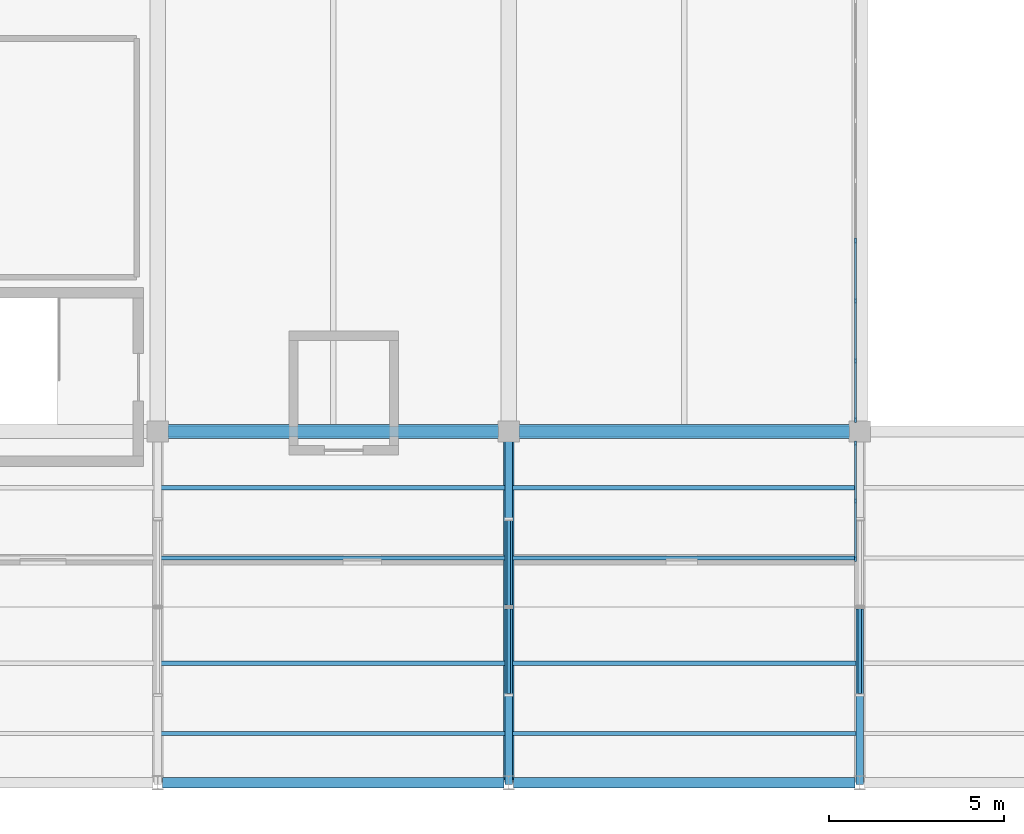
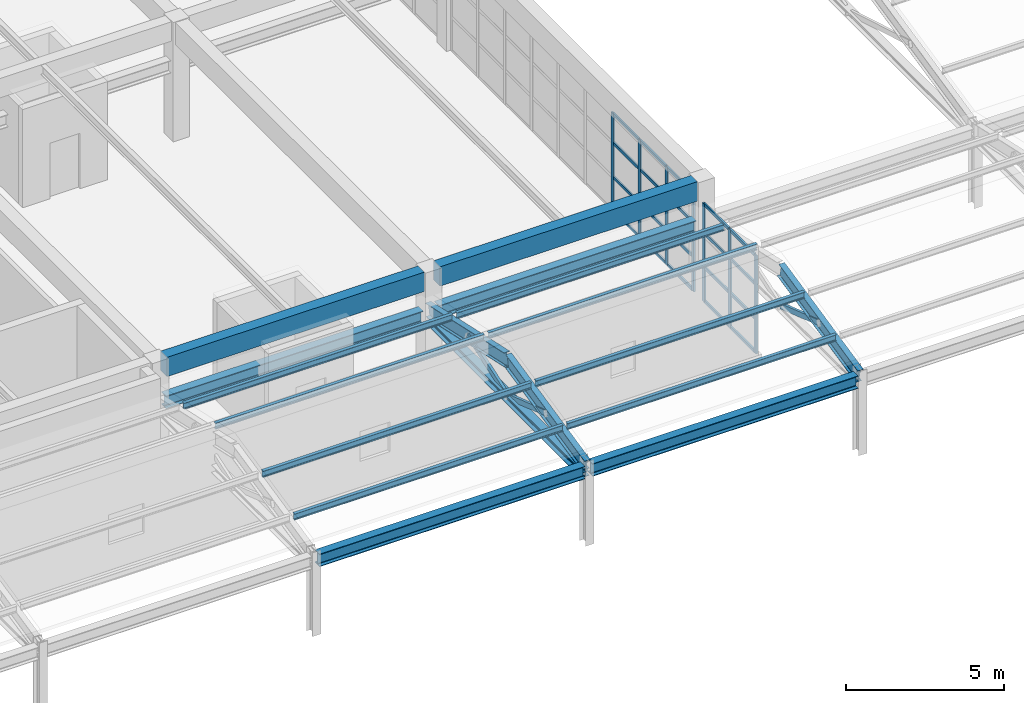
# One storey, part 24 of 109: 39 members, 9 beams, 2 elements without a shape of their own.
"""IFC4 building model written with IfcOpenShell, lengths in metres."""

from ifc_helpers import new_model, si_unit, direction, frame, origin, origin_2d, place, context, subcontext, project, spatial, rectangle, hollow_rectangle, i_section, extrude, material, layer, layer_set, material_profile, profile_set, type_object, element, aggregate, save


model = new_model("IFC4")

# Units and contexts
model_context = context("Model", 3, precision=1e-05, world=origin(), true_north=direction((0.0, 1.0)))
body_context = subcontext(model_context, "Body", "Model", "MODEL_VIEW")
ifc_project = project(units=[si_unit("LENGTHUNIT", "METRE"), si_unit("AREAUNIT", "SQUARE_METRE"), si_unit("VOLUMEUNIT", "CUBIC_METRE"), si_unit("PLANEANGLEUNIT", "RADIAN"), si_unit("MASSUNIT", "GRAM", prefix="KILO")], contexts=[model_context])

# Site, building, storey
site_placement = place(None, origin())
site = spatial("IfcSite", under=ifc_project, at=site_placement, CompositionType="ELEMENT")
building_placement = place(site_placement, origin())
building = spatial("IfcBuilding", under=site, at=building_placement, Name="Kivolera Central Railway Station", CompositionType="ELEMENT")
storey_placement = place(building_placement, frame((0.0, 0.0, 9.60009765625)))
storey = spatial("IfcBuildingStorey", under=building, at=storey_placement, Name="L02", CompositionType="ELEMENT", Elevation=9.60009765625)

# Beams
ifc_material_1 = material(Name="Concrete C40/50", Category="concrete")
ifc_material_profile_1 = material_profile(ifc_material_1, rectangle(XDim=0.39990234375, YDim=0.75, at=origin_2d()), Name="RC 400x750")
ifc_profile_set_1 = profile_set([ifc_material_profile_1], Name="Concrete C40/50")
beam_type_1 = type_object("IfcBeamType", Name="BM-RC-400x750", PredefinedType="BEAM", material=ifc_profile_set_1)
for number, where, z_axis, x_axis, name in (
    (1, (68.287109375, 16.0, 4.224853515625), (1.0, 0.0, 0.0), (0.0, 1.0, 0.0), "L02 Over-Track Bridge Transverse Girder B:7-8"),
    (2, (78.287109375, 16.0, 4.224853515625), (1.0, 0.0, 0.0), (0.0, 1.0, 0.0), "L02 Over-Track Bridge Transverse Girder B:8-9"),
):
    element("IfcBeam", number, at=place(storey_placement, frame(where, z_axis=z_axis, x_axis=x_axis)), inside=storey, type_object=beam_type_1, Name=name, PredefinedType="BEAM", context=body_context, shape_type="SweptSolid", body=[
        extrude(rectangle(XDim=0.39990234375, YDim=0.75, at=origin_2d()), origin(), (0.0, 0.0, 1.0), 9.42578125),
    ])
ifc_material_2 = material(Name="Steel S355", Category="steel")
ifc_material_profile_2 = material_profile(ifc_material_2, i_section(OverallWidth=0.300048828125, OverallDepth=0.489990234375, WebThickness=0.011962890625, FlangeThickness=0.02294921875, FilletRadius=0.027099609375, at=origin_2d()), Name="HEA 500")
ifc_profile_set_2 = profile_set([ifc_material_profile_2], Name="Steel S355")
beam_type_2 = type_object("IfcBeamType", Name="BM-SHD-HEA500", PredefinedType="BEAM", material=ifc_profile_set_2)
beam_1_placement = place(storey_placement, frame((68.136962890625, 6.0, 2.81982421875), z_axis=(1.0, 0.0, 0.0), x_axis=(0.0, 1.0, 0.0)))
element("IfcBeam", 3, at=beam_1_placement, inside=storey, type_object=beam_type_2, Name="Train Shed Eave Girder A:7-8", PredefinedType="BEAM", context=body_context, shape_type="SweptSolid", body=[
    extrude(i_section(OverallWidth=0.300048828125, OverallDepth=0.489990234375, WebThickness=0.011962890625, FlangeThickness=0.02294921875, FilletRadius=0.027099609375, at=origin_2d()), origin(), (0.0, 0.0, 1.0), 9.72607421875),
])
beam_2_placement = place(storey_placement, frame((68.2919921875, 16.0, 2.81982421875), z_axis=(1.0, 0.0, 0.0), x_axis=(0.0, 1.0, 0.0)))
element("IfcBeam", 4, at=beam_2_placement, inside=storey, type_object=beam_type_2, Name="Train Shed Eave Girder B:7-8", PredefinedType="BEAM", context=body_context, shape_type="SweptSolid", body=[
    extrude(i_section(OverallWidth=0.300048828125, OverallDepth=0.489990234375, WebThickness=0.011962890625, FlangeThickness=0.02294921875, FilletRadius=0.027099609375, at=origin_2d()), origin(), (0.0, 0.0, 1.0), 9.416015625),
])
beam_3_placement = place(storey_placement, frame((78.136962890625, 6.0, 2.81982421875), z_axis=(1.0, 0.0, 0.0), x_axis=(0.0, 1.0, 0.0)))
element("IfcBeam", 5, at=beam_3_placement, inside=storey, type_object=beam_type_2, Name="Train Shed Eave Girder A:8-9", PredefinedType="BEAM", context=body_context, shape_type="SweptSolid", body=[
    extrude(i_section(OverallWidth=0.300048828125, OverallDepth=0.489990234375, WebThickness=0.011962890625, FlangeThickness=0.02294921875, FilletRadius=0.027099609375, at=origin_2d()), origin(), (0.0, 0.0, 1.0), 9.72607421875),
])
beam_4_placement = place(storey_placement, frame((78.2919921875, 16.0, 2.81982421875), z_axis=(1.0, 0.0, 0.0), x_axis=(0.0, 1.0, 0.0)))
element("IfcBeam", 6, at=beam_4_placement, inside=storey, type_object=beam_type_2, Name="Train Shed Eave Girder B:8-9", PredefinedType="BEAM", context=body_context, shape_type="SweptSolid", body=[
    extrude(i_section(OverallWidth=0.300048828125, OverallDepth=0.489990234375, WebThickness=0.011962890625, FlangeThickness=0.02294921875, FilletRadius=0.027099609375, at=origin_2d()), origin(), (0.0, 0.0, 1.0), 9.416015625),
])
ifc_material_profile_3 = material_profile(ifc_material_2, i_section(OverallWidth=0.209228515625, OverallDepth=0.533203125, WebThickness=0.010009765625, FlangeThickness=0.015625, FilletRadius=0.0126953125, at=origin_2d()), Name="UB 533x210x92")
ifc_profile_set_3 = profile_set([ifc_material_profile_3], Name="Steel S355")
beam_type_3 = type_object("IfcBeamType", Name="BM-SHD-UB533", PredefinedType="BEAM", material=ifc_profile_set_3)
for number, where, z_axis, x_axis, name in (
    (7, (78.0, 6.0, 2.9248046875), (0.0, 0.976640463768, 0.214879977038), (-1.0, 0.0, 0.0), "Train Shed Roof Truss Top Rafter AB-8S"),
    (8, (78.0, 11.0, 4.02490234375), (0.0, 0.976640463768, -0.214879977038), (-1.0, 0.0, 0.0), "Train Shed Roof Truss Top Rafter AB-8N"),
    (9, (88.0, 6.0, 2.9248046875), (0.0, 0.976640463768, 0.214879977038), (-1.0, 0.0, 0.0), "Train Shed Roof Truss Top Rafter AB-9S"),
):
    element("IfcBeam", number, at=place(storey_placement, frame(where, z_axis=z_axis, x_axis=x_axis)), inside=storey, type_object=beam_type_3, Name=name, PredefinedType="BEAM", context=body_context, shape_type="SweptSolid", body=[
        extrude(i_section(OverallWidth=0.209228515625, OverallDepth=0.533203125, WebThickness=0.010009765625, FlangeThickness=0.015625, FilletRadius=0.0126953125, at=origin_2d()), origin(), (0.0, 0.0, 1.0), 5.11962890625),
    ])

# Curtain wall, members
ifc_material_3 = material(Name="Anodised aluminium", Category="aluminium")
ifc_layer_1 = layer(ifc_material_3, 0.179931640625, Name="Anodised aluminium")
ifc_layer_set_1 = layer_set([ifc_layer_1], Name="Anodised aluminium")
curtain_wall_type_1 = type_object("IfcCurtainWallType", Name="CW-SYS-17", PredefinedType="NOTDEFINED", material=ifc_layer_set_1)
curtain_wall_1_placement = place(storey_placement, origin())
curtain_wall_1 = element("IfcCurtainWall", 10, at=curtain_wall_1_placement, inside=storey, type_object=curtain_wall_type_1, Name="L02 Curtain Wall CW-L02-BRGE-1", PredefinedType="NOTDEFINED")
ifc_material_profile_4 = material_profile(ifc_material_3, rectangle(XDim=0.06005859375, YDim=0.14990234375, at=origin_2d()), Name="ALU MULL 60x150")
ifc_profile_set_4 = profile_set([ifc_material_profile_4], Name="Anodised aluminium")
member_type_1 = type_object("IfcMemberType", Name="CWM-MUL-2", PredefinedType="MULLION", material=ifc_profile_set_4)
member_1_placement = place(storey_placement, frame((87.8798828125, 15.659912109375, -0.005126953125), z_axis=(0.0, 0.0, 1.0), x_axis=(1.0, 0.0, 0.0)))
member_1 = element("IfcMember", 11, at=member_1_placement, type_object=member_type_1, Name="CW-17 mullion 1", PredefinedType="MULLION", context=body_context, shape_type="SweptSolid", body=[
    extrude(rectangle(XDim=0.06005859375, YDim=0.14990234375, at=origin_2d()), origin(), (0.0, 0.0, 1.0), 3.804931640625),
])
member_2_placement = place(storey_placement, frame((87.8798828125, 14.02001953125, -0.005126953125), z_axis=(0.0, 0.0, 1.0), x_axis=(1.0, 0.0, 0.0)))
member_2 = element("IfcMember", 12, at=member_2_placement, type_object=member_type_1, Name="CW-17 mullion 2", PredefinedType="MULLION", context=body_context, shape_type="SweptSolid", body=[
    extrude(rectangle(XDim=0.06005859375, YDim=0.14990234375, at=origin_2d()), origin(), (0.0, 0.0, 1.0), 3.804931640625),
])
member_3_placement = place(storey_placement, frame((87.8798828125, 12.3798828125, -0.005126953125), z_axis=(0.0, 0.0, 1.0), x_axis=(1.0, 0.0, 0.0)))
member_3 = element("IfcMember", 13, at=member_3_placement, type_object=member_type_1, Name="CW-17 mullion 3", PredefinedType="MULLION", context=body_context, shape_type="SweptSolid", body=[
    extrude(rectangle(XDim=0.06005859375, YDim=0.14990234375, at=origin_2d()), origin(), (0.0, 0.0, 1.0), 3.804931640625),
])

ifc_layer_2 = layer(ifc_material_3, 0.179931640625, Name="Anodised aluminium")
ifc_layer_set_2 = layer_set([ifc_layer_2], Name="Anodised aluminium")
curtain_wall_type_2 = type_object("IfcCurtainWallType", Name="CW-SYS-18", PredefinedType="NOTDEFINED", material=ifc_layer_set_2)
curtain_wall_2_placement = place(storey_placement, origin())
curtain_wall_2 = element("IfcCurtainWall", 14, at=curtain_wall_2_placement, inside=storey, type_object=curtain_wall_type_2, Name="L02 Curtain Wall CW-L02-BRGE-2", PredefinedType="NOTDEFINED")
member_4_placement = place(storey_placement, frame((87.8798828125, 21.436767578125, -0.005126953125), z_axis=(0.0, 0.0, 1.0), x_axis=(1.0, 0.0, 0.0)))
member_4 = element("IfcMember", 15, at=member_4_placement, type_object=member_type_1, Name="CW-18 mullion 7", PredefinedType="MULLION", context=body_context, shape_type="SweptSolid", body=[
    extrude(rectangle(XDim=0.06005859375, YDim=0.14990234375, at=origin_2d()), origin(), (0.0, 0.0, 1.0), 3.804931640625),
])
member_5_placement = place(storey_placement, frame((87.8798828125, 19.727783203125, -0.005126953125), z_axis=(0.0, 0.0, 1.0), x_axis=(1.0, 0.0, 0.0)))
member_5 = element("IfcMember", 16, at=member_5_placement, type_object=member_type_1, Name="CW-18 mullion 8", PredefinedType="MULLION", context=body_context, shape_type="SweptSolid", body=[
    extrude(rectangle(XDim=0.06005859375, YDim=0.14990234375, at=origin_2d()), origin(), (0.0, 0.0, 1.0), 3.804931640625),
])
member_6_placement = place(storey_placement, frame((87.8798828125, 18.018798828125, -0.005126953125), z_axis=(0.0, 0.0, 1.0), x_axis=(1.0, 0.0, 0.0)))
member_6 = element("IfcMember", 17, at=member_6_placement, type_object=member_type_1, Name="CW-18 mullion 9", PredefinedType="MULLION", context=body_context, shape_type="SweptSolid", body=[
    extrude(rectangle(XDim=0.06005859375, YDim=0.14990234375, at=origin_2d()), origin(), (0.0, 0.0, 1.0), 3.804931640625),
])
member_7_placement = place(storey_placement, frame((87.8798828125, 16.340087890625, -0.005126953125), z_axis=(0.0, 0.0, 1.0), x_axis=(1.0, 0.0, 0.0)))
member_7 = element("IfcMember", 18, at=member_7_placement, type_object=member_type_1, Name="CW-18 mullion 10", PredefinedType="MULLION", context=body_context, shape_type="SweptSolid", body=[
    extrude(rectangle(XDim=0.06005859375, YDim=0.14990234375, at=origin_2d()), origin(), (0.0, 0.0, 1.0), 3.804931640625),
])

# Member
ifc_material_profile_5 = material_profile(ifc_material_3, rectangle(XDim=0.06005859375, YDim=0.1201171875, at=origin_2d()), Name="ALU TRAN 60x120")
ifc_profile_set_5 = profile_set([ifc_material_profile_5], Name="Anodised aluminium")
member_type_2 = type_object("IfcMemberType", Name="CWM-TRN-2", PredefinedType="USERDEFINED", material=ifc_profile_set_5)
member_8_placement = place(storey_placement, frame((87.8798828125, 15.6298828125, 0.02978515625), z_axis=(0.0, -1.0, 0.0), x_axis=(1.0, 0.0, 0.0)))
member_8 = element("IfcMember", 19, at=member_8_placement, type_object=member_type_2, Name="CW-17 transom 1.1", ObjectType="TRANSOM", PredefinedType="USERDEFINED", context=body_context, shape_type="SweptSolid", body=[
    extrude(rectangle(XDim=0.06005859375, YDim=0.1201171875, at=origin_2d()), origin(), (0.0, 0.0, 1.0), 1.579833984375),
])

member_9_placement = place(storey_placement, frame((87.8798828125, 15.6298828125, 1.329833984375), z_axis=(0.0, -1.0, 0.0), x_axis=(1.0, 0.0, 0.0)))
member_9 = element("IfcMember", 20, at=member_9_placement, type_object=member_type_2, Name="CW-17 transom 1.2", ObjectType="TRANSOM", PredefinedType="USERDEFINED", context=body_context, shape_type="SweptSolid", body=[
    extrude(rectangle(XDim=0.06005859375, YDim=0.1201171875, at=origin_2d()), origin(), (0.0, 0.0, 1.0), 1.579833984375),
])

member_10_placement = place(storey_placement, frame((87.8798828125, 15.6298828125, 2.659912109375), z_axis=(0.0, -1.0, 0.0), x_axis=(1.0, 0.0, 0.0)))
member_10 = element("IfcMember", 21, at=member_10_placement, type_object=member_type_2, Name="CW-17 transom 1.3", ObjectType="TRANSOM", PredefinedType="USERDEFINED", context=body_context, shape_type="SweptSolid", body=[
    extrude(rectangle(XDim=0.06005859375, YDim=0.1201171875, at=origin_2d()), origin(), (0.0, 0.0, 1.0), 1.579833984375),
])

member_11_placement = place(storey_placement, frame((87.8798828125, 15.6298828125, 3.77001953125), z_axis=(0.0, -1.0, 0.0), x_axis=(1.0, 0.0, 0.0)))
member_11 = element("IfcMember", 22, at=member_11_placement, type_object=member_type_2, Name="CW-17 transom 1.4", ObjectType="TRANSOM", PredefinedType="USERDEFINED", context=body_context, shape_type="SweptSolid", body=[
    extrude(rectangle(XDim=0.06005859375, YDim=0.1201171875, at=origin_2d()), origin(), (0.0, 0.0, 1.0), 1.579833984375),
])

member_12_placement = place(storey_placement, frame((87.8798828125, 13.989990234375, 0.02978515625), z_axis=(0.0, -1.0, 0.0), x_axis=(1.0, 0.0, 0.0)))
member_12 = element("IfcMember", 23, at=member_12_placement, type_object=member_type_2, Name="CW-17 transom 2.1", ObjectType="TRANSOM", PredefinedType="USERDEFINED", context=body_context, shape_type="SweptSolid", body=[
    extrude(rectangle(XDim=0.06005859375, YDim=0.1201171875, at=origin_2d()), origin(), (0.0, 0.0, 1.0), 1.580078125),
])

member_13_placement = place(storey_placement, frame((87.8798828125, 13.989990234375, 1.329833984375), z_axis=(0.0, -1.0, 0.0), x_axis=(1.0, 0.0, 0.0)))
member_13 = element("IfcMember", 24, at=member_13_placement, type_object=member_type_2, Name="CW-17 transom 2.2", ObjectType="TRANSOM", PredefinedType="USERDEFINED", context=body_context, shape_type="SweptSolid", body=[
    extrude(rectangle(XDim=0.06005859375, YDim=0.1201171875, at=origin_2d()), origin(), (0.0, 0.0, 1.0), 1.580078125),
])

member_14_placement = place(storey_placement, frame((87.8798828125, 13.989990234375, 2.659912109375), z_axis=(0.0, -1.0, 0.0), x_axis=(1.0, 0.0, 0.0)))
member_14 = element("IfcMember", 25, at=member_14_placement, type_object=member_type_2, Name="CW-17 transom 2.3", ObjectType="TRANSOM", PredefinedType="USERDEFINED", context=body_context, shape_type="SweptSolid", body=[
    extrude(rectangle(XDim=0.06005859375, YDim=0.1201171875, at=origin_2d()), origin(), (0.0, 0.0, 1.0), 1.580078125),
])

member_15_placement = place(storey_placement, frame((87.8798828125, 13.989990234375, 3.77001953125), z_axis=(0.0, -1.0, 0.0), x_axis=(1.0, 0.0, 0.0)))
member_15 = element("IfcMember", 26, at=member_15_placement, type_object=member_type_2, Name="CW-17 transom 2.4", ObjectType="TRANSOM", PredefinedType="USERDEFINED", context=body_context, shape_type="SweptSolid", body=[
    extrude(rectangle(XDim=0.06005859375, YDim=0.1201171875, at=origin_2d()), origin(), (0.0, 0.0, 1.0), 1.580078125),
])

aggregate(curtain_wall_1, [member_1, member_2, member_3, member_8, member_9, member_10, member_11, member_12, member_13, member_14, member_15])

member_16_placement = place(storey_placement, frame((87.8798828125, 21.40673828125, 0.02978515625), z_axis=(0.0, -1.0, 0.0), x_axis=(1.0, 0.0, 0.0)))
member_16 = element("IfcMember", 27, at=member_16_placement, type_object=member_type_2, Name="CW-18 transom 7.1", ObjectType="TRANSOM", PredefinedType="USERDEFINED", context=body_context, shape_type="SweptSolid", body=[
    extrude(rectangle(XDim=0.06005859375, YDim=0.1201171875, at=origin_2d()), origin(), (0.0, 0.0, 1.0), 1.64892578125),
])

member_17_placement = place(storey_placement, frame((87.8798828125, 21.40673828125, 1.329833984375), z_axis=(0.0, -1.0, 0.0), x_axis=(1.0, 0.0, 0.0)))
member_17 = element("IfcMember", 28, at=member_17_placement, type_object=member_type_2, Name="CW-18 transom 7.2", ObjectType="TRANSOM", PredefinedType="USERDEFINED", context=body_context, shape_type="SweptSolid", body=[
    extrude(rectangle(XDim=0.06005859375, YDim=0.1201171875, at=origin_2d()), origin(), (0.0, 0.0, 1.0), 1.64892578125),
])

member_18_placement = place(storey_placement, frame((87.8798828125, 21.40673828125, 2.659912109375), z_axis=(0.0, -1.0, 0.0), x_axis=(1.0, 0.0, 0.0)))
member_18 = element("IfcMember", 29, at=member_18_placement, type_object=member_type_2, Name="CW-18 transom 7.3", ObjectType="TRANSOM", PredefinedType="USERDEFINED", context=body_context, shape_type="SweptSolid", body=[
    extrude(rectangle(XDim=0.06005859375, YDim=0.1201171875, at=origin_2d()), origin(), (0.0, 0.0, 1.0), 1.64892578125),
])

member_19_placement = place(storey_placement, frame((87.8798828125, 21.40673828125, 3.77001953125), z_axis=(0.0, -1.0, 0.0), x_axis=(1.0, 0.0, 0.0)))
member_19 = element("IfcMember", 30, at=member_19_placement, type_object=member_type_2, Name="CW-18 transom 7.4", ObjectType="TRANSOM", PredefinedType="USERDEFINED", context=body_context, shape_type="SweptSolid", body=[
    extrude(rectangle(XDim=0.06005859375, YDim=0.1201171875, at=origin_2d()), origin(), (0.0, 0.0, 1.0), 1.64892578125),
])

member_20_placement = place(storey_placement, frame((87.8798828125, 19.69775390625, 0.02978515625), z_axis=(0.0, -1.0, 0.0), x_axis=(1.0, 0.0, 0.0)))
member_20 = element("IfcMember", 31, at=member_20_placement, type_object=member_type_2, Name="CW-18 transom 8.1", ObjectType="TRANSOM", PredefinedType="USERDEFINED", context=body_context, shape_type="SweptSolid", body=[
    extrude(rectangle(XDim=0.06005859375, YDim=0.1201171875, at=origin_2d()), origin(), (0.0, 0.0, 1.0), 1.64892578125),
])

member_21_placement = place(storey_placement, frame((87.8798828125, 19.69775390625, 1.329833984375), z_axis=(0.0, -1.0, 0.0), x_axis=(1.0, 0.0, 0.0)))
member_21 = element("IfcMember", 32, at=member_21_placement, type_object=member_type_2, Name="CW-18 transom 8.2", ObjectType="TRANSOM", PredefinedType="USERDEFINED", context=body_context, shape_type="SweptSolid", body=[
    extrude(rectangle(XDim=0.06005859375, YDim=0.1201171875, at=origin_2d()), origin(), (0.0, 0.0, 1.0), 1.64892578125),
])

member_22_placement = place(storey_placement, frame((87.8798828125, 19.69775390625, 2.659912109375), z_axis=(0.0, -1.0, 0.0), x_axis=(1.0, 0.0, 0.0)))
member_22 = element("IfcMember", 33, at=member_22_placement, type_object=member_type_2, Name="CW-18 transom 8.3", ObjectType="TRANSOM", PredefinedType="USERDEFINED", context=body_context, shape_type="SweptSolid", body=[
    extrude(rectangle(XDim=0.06005859375, YDim=0.1201171875, at=origin_2d()), origin(), (0.0, 0.0, 1.0), 1.64892578125),
])

member_23_placement = place(storey_placement, frame((87.8798828125, 19.69775390625, 3.77001953125), z_axis=(0.0, -1.0, 0.0), x_axis=(1.0, 0.0, 0.0)))
member_23 = element("IfcMember", 34, at=member_23_placement, type_object=member_type_2, Name="CW-18 transom 8.4", ObjectType="TRANSOM", PredefinedType="USERDEFINED", context=body_context, shape_type="SweptSolid", body=[
    extrude(rectangle(XDim=0.06005859375, YDim=0.1201171875, at=origin_2d()), origin(), (0.0, 0.0, 1.0), 1.64892578125),
])

member_24_placement = place(storey_placement, frame((87.8798828125, 17.98876953125, 0.02978515625), z_axis=(0.0, -1.0, 0.0), x_axis=(1.0, 0.0, 0.0)))
member_24 = element("IfcMember", 35, at=member_24_placement, type_object=member_type_2, Name="CW-18 transom 9.1", ObjectType="TRANSOM", PredefinedType="USERDEFINED", context=body_context, shape_type="SweptSolid", body=[
    extrude(rectangle(XDim=0.06005859375, YDim=0.1201171875, at=origin_2d()), origin(), (0.0, 0.0, 1.0), 1.61865234375),
])

member_25_placement = place(storey_placement, frame((87.8798828125, 17.98876953125, 1.329833984375), z_axis=(0.0, -1.0, 0.0), x_axis=(1.0, 0.0, 0.0)))
member_25 = element("IfcMember", 36, at=member_25_placement, type_object=member_type_2, Name="CW-18 transom 9.2", ObjectType="TRANSOM", PredefinedType="USERDEFINED", context=body_context, shape_type="SweptSolid", body=[
    extrude(rectangle(XDim=0.06005859375, YDim=0.1201171875, at=origin_2d()), origin(), (0.0, 0.0, 1.0), 1.61865234375),
])

member_26_placement = place(storey_placement, frame((87.8798828125, 17.98876953125, 2.659912109375), z_axis=(0.0, -1.0, 0.0), x_axis=(1.0, 0.0, 0.0)))
member_26 = element("IfcMember", 37, at=member_26_placement, type_object=member_type_2, Name="CW-18 transom 9.3", ObjectType="TRANSOM", PredefinedType="USERDEFINED", context=body_context, shape_type="SweptSolid", body=[
    extrude(rectangle(XDim=0.06005859375, YDim=0.1201171875, at=origin_2d()), origin(), (0.0, 0.0, 1.0), 1.61865234375),
])

member_27_placement = place(storey_placement, frame((87.8798828125, 17.98876953125, 3.77001953125), z_axis=(0.0, -1.0, 0.0), x_axis=(1.0, 0.0, 0.0)))
member_27 = element("IfcMember", 38, at=member_27_placement, type_object=member_type_2, Name="CW-18 transom 9.4", ObjectType="TRANSOM", PredefinedType="USERDEFINED", context=body_context, shape_type="SweptSolid", body=[
    extrude(rectangle(XDim=0.06005859375, YDim=0.1201171875, at=origin_2d()), origin(), (0.0, 0.0, 1.0), 1.61865234375),
])

aggregate(curtain_wall_2, [member_4, member_5, member_6, member_7, member_16, member_17, member_18, member_19, member_20, member_21, member_22, member_23, member_24, member_25, member_26, member_27])

# Members
ifc_material_profile_6 = material_profile(ifc_material_2, i_section(OverallWidth=0.300048828125, OverallDepth=0.300048828125, WebThickness=0.010986328125, FlangeThickness=0.01904296875, FilletRadius=0.027099609375, at=origin_2d()), Name="HEB 300")
ifc_profile_set_6 = profile_set([ifc_material_profile_6], Name="Steel S355")
member_type_3 = type_object("IfcMemberType", Name="MEM-CHD-HEB300", PredefinedType="CHORD", material=ifc_profile_set_6)
member_28_placement = place(storey_placement, frame((78.0, 6.080078125, 2.619873046875), z_axis=(0.0, 1.0, 0.0), x_axis=(-1.0, 0.0, 0.0)))
element("IfcMember", 39, at=member_28_placement, inside=storey, type_object=member_type_3, Name="Train Shed Roof Truss Bottom Tie Chord AB-8", PredefinedType="CHORD", context=body_context, shape_type="SweptSolid", body=[
    extrude(i_section(OverallWidth=0.300048828125, OverallDepth=0.300048828125, WebThickness=0.010986328125, FlangeThickness=0.01904296875, FilletRadius=0.027099609375, at=origin_2d()), origin(), (0.0, 0.0, 1.0), 9.83984375),
])
ifc_material_profile_7 = material_profile(ifc_material_2, i_section(OverallWidth=0.1201171875, OverallDepth=0.239990234375, WebThickness=0.006103515625, FlangeThickness=0.009765625, FilletRadius=0.014892578125, at=origin_2d()), Name="IPE 240")
ifc_profile_set_7 = profile_set([ifc_material_profile_7], Name="Steel S355")
member_type_4 = type_object("IfcMemberType", Name="MEM-PUR-IPE240", PredefinedType="PURLIN", material=ifc_profile_set_7)
for number, where, z_axis, x_axis, name in (
    (40, (68.080078125, 7.39990234375, 3.61279296875), (1.0, 0.0, 0.0), (0.0, 1.0, 0.0), "Train Shed Roof Purlin AB-07-S1"),
    (41, (68.080078125, 12.39990234375, 4.096923828125), (1.0, 0.0, 0.0), (0.0, 1.0, 0.0), "Train Shed Roof Purlin AB-07-N1"),
    (42, (68.080078125, 9.39990234375, 4.052978515625), (1.0, 0.0, 0.0), (0.0, 1.0, 0.0), "Train Shed Roof Purlin AB-07-S2"),
    (43, (68.080078125, 14.39990234375, 3.656982421875), (1.0, 0.0, 0.0), (0.0, 1.0, 0.0), "Train Shed Roof Purlin AB-07-N2"),
    (44, (78.080078125, 7.39990234375, 3.61279296875), (1.0, 0.0, 0.0), (0.0, 1.0, 0.0), "Train Shed Roof Purlin AB-08-S1"),
    (45, (78.080078125, 12.39990234375, 4.096923828125), (1.0, 0.0, 0.0), (0.0, 1.0, 0.0), "Train Shed Roof Purlin AB-08-N1"),
    (46, (78.080078125, 9.39990234375, 4.052978515625), (1.0, 0.0, 0.0), (0.0, 1.0, 0.0), "Train Shed Roof Purlin AB-08-S2"),
    (47, (78.080078125, 14.39990234375, 3.656982421875), (1.0, 0.0, 0.0), (0.0, 1.0, 0.0), "Train Shed Roof Purlin AB-08-N2"),
):
    element("IfcMember", number, at=place(storey_placement, frame(where, z_axis=z_axis, x_axis=x_axis)), inside=storey, type_object=member_type_4, Name=name, PredefinedType="PURLIN", context=body_context, shape_type="SweptSolid", body=[
        extrude(i_section(OverallWidth=0.1201171875, OverallDepth=0.239990234375, WebThickness=0.006103515625, FlangeThickness=0.009765625, FilletRadius=0.014892578125, at=origin_2d()), origin(), (0.0, 0.0, 1.0), 9.83984375),
    ])
ifc_material_profile_8 = material_profile(ifc_material_2, hollow_rectangle(XDim=0.10009765625, YDim=0.199951171875, WallThickness=0.010009765625, at=origin_2d()), Name="RHS 200x100x10")
ifc_profile_set_8 = profile_set([ifc_material_profile_8], Name="Steel S355")
member_type_5 = type_object("IfcMemberType", Name="MEM-STR-RHS200", PredefinedType="STRUT", material=ifc_profile_set_8)
for number, where, z_axis, x_axis, name in (
    (48, (78.0, 11.0, 2.619873046875), (0.0, -0.946196747594, 0.323591895515), (1.0, 0.0, 0.0), "Train Shed Truss Web Strut AB-8-1"),
    (49, (78.0, 11.0, 2.619873046875), (0.0, 0.946196747594, 0.323591895515), (-1.0, 0.0, 0.0), "Train Shed Truss Web Strut AB-8-2"),
    (50, (88.0, 11.0, 2.619873046875), (0.0, -0.946196747594, 0.323591895515), (1.0, 0.0, 0.0), "Train Shed Truss Web Strut AB-9-1"),
):
    element("IfcMember", number, at=place(storey_placement, frame(where, z_axis=z_axis, x_axis=x_axis)), inside=storey, type_object=member_type_5, Name=name, PredefinedType="STRUT", context=body_context, shape_type="SweptSolid", body=[
        extrude(hollow_rectangle(XDim=0.10009765625, YDim=0.199951171875, WallThickness=0.010009765625, at=origin_2d()), origin(), (0.0, 0.0, 1.0), 2.64208984375),
    ])

save(model, "model.ifc")
